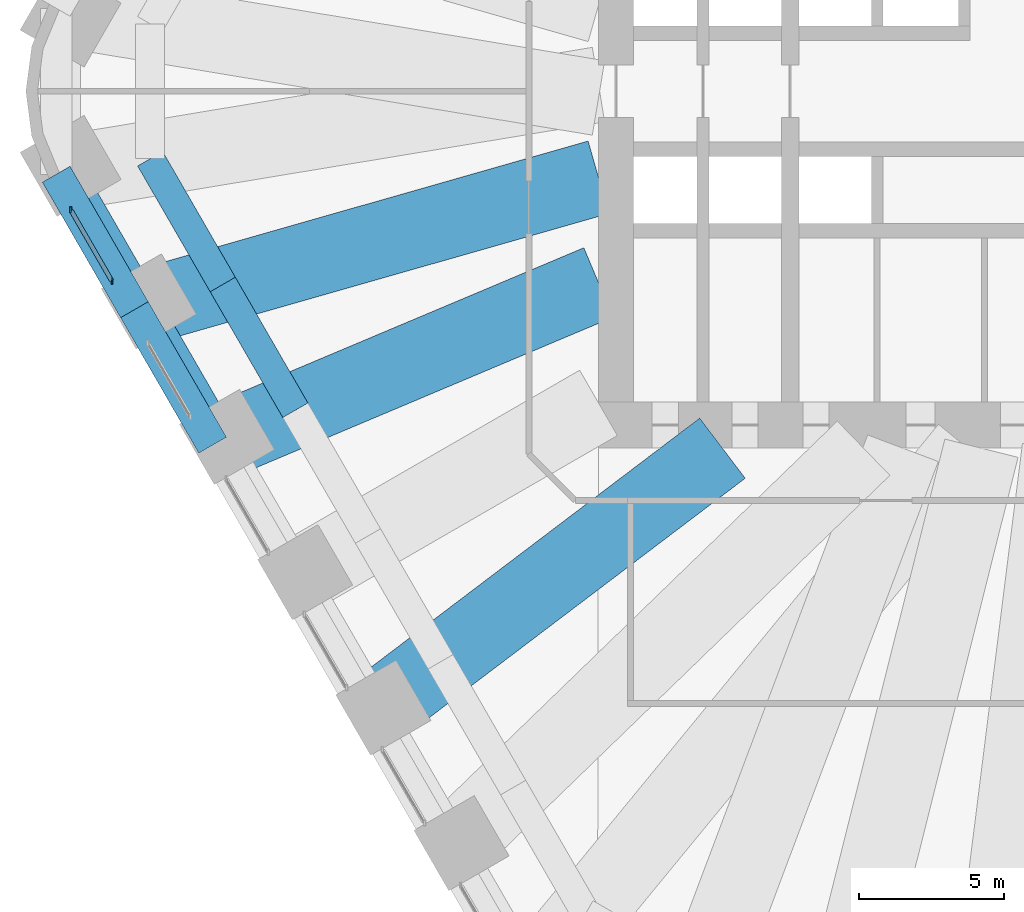
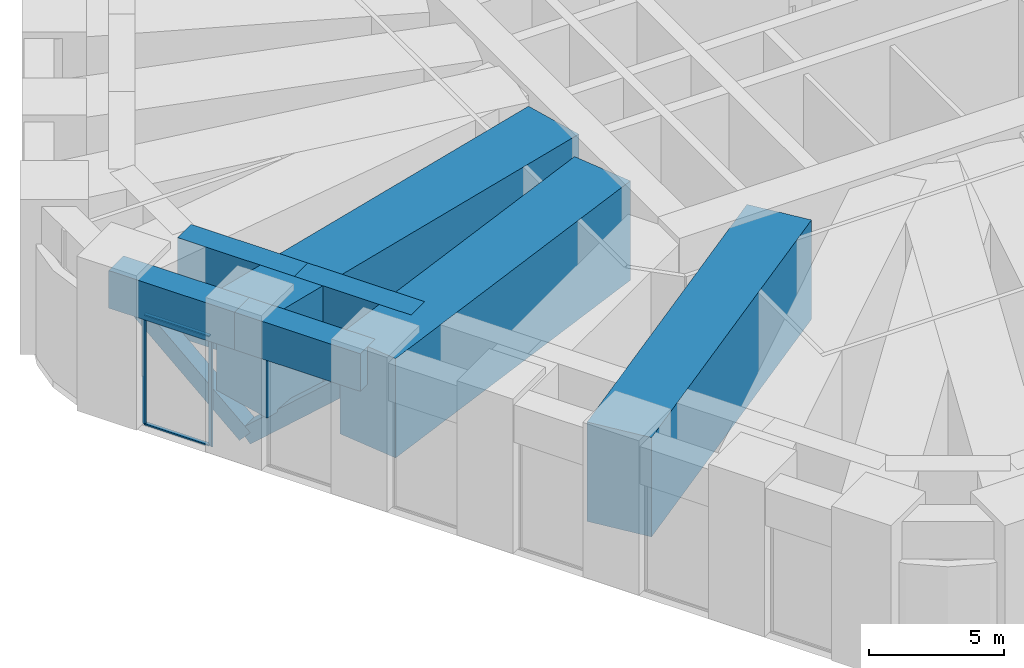
# One storey, part 3 of 17: 7 beams, 6 members, 1 element without a shape of its own.
"""IFC4 building model written with IfcOpenShell, lengths in metres."""

from ifc_helpers import new_model, si_unit, direction, frame, origin, origin_2d, place, context, subcontext, project, spatial, rectangle, hollow_rectangle, extrude, material, material_profile, profile_set, type_object, element, aggregate, save


model = new_model("IFC4")

# Units and contexts
model_context = context("Model", 3, precision=1e-05, world=origin(), true_north=direction((0.0, 1.0)))
body_context = subcontext(model_context, "Body", "Model", "MODEL_VIEW")
ifc_project = project(units=[si_unit("LENGTHUNIT", "METRE"), si_unit("AREAUNIT", "SQUARE_METRE"), si_unit("VOLUMEUNIT", "CUBIC_METRE"), si_unit("PLANEANGLEUNIT", "RADIAN"), si_unit("MASSUNIT", "GRAM", prefix="KILO")], contexts=[model_context])

# Site, building, storey
site_placement = place(None, origin())
site = spatial("IfcSite", under=ifc_project, at=site_placement, CompositionType="ELEMENT")
building_placement = place(site_placement, origin())
building = spatial("IfcBuilding", under=site, at=building_placement, Name="Tarfa Lantern Tower", CompositionType="ELEMENT")
storey_placement = place(building_placement, frame((0.0, 0.0, 107.5)))
storey = spatial("IfcBuildingStorey", under=building, at=storey_placement, Name="L24", CompositionType="ELEMENT", Elevation=107.5)

# Members
ifc_material_1 = material(Name="Steel S460M", Category="steel")
ifc_material_profile_1 = material_profile(ifc_material_1, hollow_rectangle(XDim=0.699951171875, YDim=0.699951171875, WallThickness=0.080078125, at=origin_2d()), Name="BOX700x700x80")
ifc_profile_set_1 = profile_set([ifc_material_profile_1], Name="Steel S460M")
member_type_1 = type_object("IfcMemberType", Name="BT1 BOX700x700x80", PredefinedType="BRACE", material=ifc_profile_set_1)
for number, where, z_axis, x_axis, name in (
    (1, (-34.097412109375, -7.24169921875, 0.60009765625), (-0.373364035688, 0.646688432601, 0.66512658043), (-0.866026392449, -0.499998287579, 0.0), "Belt truss diagonal 22"),
    (2, (-34.097412109375, -7.24169921875, 0.60009765625), (0.373364035688, -0.646688432601, 0.66512658043), (0.866026392449, 0.499998287579, 0.0), "Belt truss diagonal 23"),
):
    element("IfcMember", number, at=place(storey_placement, frame(where, z_axis=z_axis, x_axis=x_axis)), inside=storey, type_object=member_type_1, Name=name, PredefinedType="BRACE", context=body_context, shape_type="SweptSolid", body=[
        extrude(hollow_rectangle(XDim=0.699951171875, YDim=0.699951171875, WallThickness=0.080078125, at=origin_2d()), origin(), (0.0, 0.0, 1.0), 7.21630859375),
    ])

# Curtain wall, members
ifc_material_2 = material(Name="Aluminium framed curtain wall", Category="aluminium")
curtain_wall_type = type_object("IfcCurtainWallType", Name="CW6 LOUVRED SCREEN WALL 5000", PredefinedType="USERDEFINED", material=ifc_material_2)
curtain_wall_placement = place(storey_placement, origin())
curtain_wall = element("IfcCurtainWall", 3, at=curtain_wall_placement, inside=storey, type_object=curtain_wall_type, Name="CW6 SW L24", ObjectType="CURTAIN WALL", PredefinedType="USERDEFINED")
ifc_material_3 = material(Name="Aluminium mullion", Category="aluminium")
ifc_material_profile_2 = material_profile(ifc_material_3, rectangle(XDim=0.06494140625, YDim=0.199951171875, at=origin_2d()), Name="AL MULLION 65x200")
ifc_profile_set_2 = profile_set([ifc_material_profile_2], Name="Aluminium mullion")
member_type_2 = type_object("IfcMemberType", Name="CWM1 MULLION 65x200", PredefinedType="MULLION", material=ifc_profile_set_2)
member_1_placement = place(storey_placement, frame((-36.787353515625, -4.082275390625, 0.0), z_axis=(0.0, 0.0, 1.0), x_axis=(1.0, 0.0, 0.0)))
member_1 = element("IfcMember", 4, at=member_1_placement, type_object=member_type_2, Name="CW6 mullion 1", PredefinedType="MULLION", context=body_context, shape_type="SweptSolid", body=[
    extrude(rectangle(XDim=0.06494140625, YDim=0.199951171875, at=origin_2d()), origin(), (0.0, 0.0, 1.0), 5.0),
])
member_2_placement = place(storey_placement, frame((-35.363037109375, -6.54931640625, 0.0), z_axis=(0.0, 0.0, 1.0), x_axis=(1.0, 0.0, 0.0)))
member_2 = element("IfcMember", 5, at=member_2_placement, type_object=member_type_2, Name="CW6 mullion 2", PredefinedType="MULLION", context=body_context, shape_type="SweptSolid", body=[
    extrude(rectangle(XDim=0.06494140625, YDim=0.199951171875, at=origin_2d()), origin(), (0.0, 0.0, 1.0), 5.0),
])
ifc_material_4 = material(Name="Aluminium transom", Category="aluminium")
ifc_material_profile_3 = material_profile(ifc_material_4, rectangle(XDim=0.14990234375, YDim=0.06494140625, at=origin_2d()), Name="AL TRANSOM 150x65")
ifc_profile_set_3 = profile_set([ifc_material_profile_3], Name="Aluminium transom")
member_type_3 = type_object("IfcMemberType", Name="CWT1 TRANSOM 150x65", PredefinedType="USERDEFINED", material=ifc_profile_set_3)
member_3_placement = place(storey_placement, frame((-36.771240234375, -4.110595703125, 0.032470703125), z_axis=(0.500016013541, -0.866016158165, 0.0), x_axis=(0.866016158165, 0.500016013541, 0.0)))
member_3 = element("IfcMember", 6, at=member_3_placement, type_object=member_type_3, Name="CW6 transom 1.1", ObjectType="TRANSOM", PredefinedType="USERDEFINED", context=body_context, shape_type="SweptSolid", body=[
    extrude(rectangle(XDim=0.14990234375, YDim=0.06494140625, at=origin_2d()), origin(), (0.0, 0.0, 1.0), 2.78369140625),
])
member_4_placement = place(storey_placement, frame((-36.771240234375, -4.110595703125, 4.967529296875), z_axis=(0.500016013541, -0.866016158165, 0.0), x_axis=(0.866016158165, 0.500016013541, 0.0)))
member_4 = element("IfcMember", 7, at=member_4_placement, type_object=member_type_3, Name="CW6 transom 1.2", ObjectType="TRANSOM", PredefinedType="USERDEFINED", context=body_context, shape_type="SweptSolid", body=[
    extrude(rectangle(XDim=0.14990234375, YDim=0.06494140625, at=origin_2d()), origin(), (0.0, 0.0, 1.0), 2.78369140625),
])
aggregate(curtain_wall, [member_1, member_2, member_3, member_4])

# Beams
ifc_material_5 = material(Name="Concrete C80/95", Category="concrete")
ifc_material_profile_4 = material_profile(ifc_material_5, rectangle(XDim=1.10009765625, YDim=1.699951171875, at=origin_2d()), Name="RC 1100x1700")
ifc_profile_set_4 = profile_set([ifc_material_profile_4], Name="Concrete C80/95")
beam_type_1 = type_object("IfcBeamType", Name="RB1 RC 1100x1700", PredefinedType="BEAM", material=ifc_profile_set_4)
beam_1_placement = place(storey_placement, frame((-37.285400390625, -2.860107421875, 5.85009765625), z_axis=(0.500017906299, -0.866015065331, 0.0), x_axis=(0.866015065331, 0.500017906299, 0.0)))
element("IfcBeam", 8, at=beam_1_placement, inside=storey, type_object=beam_type_1, Name="Edge beam SW0", PredefinedType="BEAM", context=body_context, shape_type="SweptSolid", body=[
    extrude(rectangle(XDim=1.10009765625, YDim=1.699951171875, at=origin_2d()), origin(), (0.0, 0.0, 1.0), 5.388427734375),
])
beam_2_placement = place(storey_placement, frame((-34.591064453125, -7.526611328125, 5.85009765625), z_axis=(0.499998287579, -0.866026392449, 0.0), x_axis=(0.866026392449, 0.499998287579, 0.0)))
element("IfcBeam", 9, at=beam_2_placement, inside=storey, type_object=beam_type_1, Name="Edge beam SW1", PredefinedType="BEAM", context=body_context, shape_type="SweptSolid", body=[
    extrude(rectangle(XDim=1.10009765625, YDim=1.699951171875, at=origin_2d()), origin(), (0.0, 0.0, 1.0), 5.388671875),
])
ifc_material_profile_5 = material_profile(ifc_material_5, rectangle(XDim=1.0, YDim=4.5, at=origin_2d()), Name="RC 1000x4500")
ifc_profile_set_5 = profile_set([ifc_material_profile_5], Name="Concrete C80/95")
beam_type_2 = type_object("IfcBeamType", Name="RG1 RC 1000x4500", PredefinedType="BEAM", material=ifc_profile_set_5)
beam_3_placement = place(storey_placement, frame((-34.04931640625, -2.324951171875, 4.449951171875), z_axis=(0.500001197378, -0.866024712477, 0.0), x_axis=(0.866024712477, 0.500001197378, 0.0)))
element("IfcBeam", 10, at=beam_3_placement, inside=storey, type_object=beam_type_2, Name="Ring girder SW0", PredefinedType="BEAM", context=body_context, shape_type="SweptSolid", body=[
    extrude(rectangle(XDim=1.0, YDim=4.5, at=origin_2d()), origin(), (0.0, 0.0, 1.0), 5.00390625),
])
beam_4_placement = place(storey_placement, frame((-31.54736328125, -6.658447265625, 4.449951171875), z_axis=(0.500022324899, -0.866012514114, 0.0), x_axis=(0.866012514114, 0.500022324899, 0.0)))
element("IfcBeam", 11, at=beam_4_placement, inside=storey, type_object=beam_type_2, Name="Ring girder SW1", PredefinedType="BEAM", context=body_context, shape_type="SweptSolid", body=[
    extrude(rectangle(XDim=1.0, YDim=4.5, at=origin_2d()), origin(), (0.0, 0.0, 1.0), 5.003662109375),
])
ifc_material_profile_6 = material_profile(ifc_material_5, rectangle(XDim=2.60009765625, YDim=4.5, at=origin_2d()), Name="RC 2600x4500")
ifc_profile_set_6 = profile_set([ifc_material_profile_6], Name="Concrete C80/95")
beam_type_3 = type_object("IfcBeamType", Name="TG1 RC 2600x4500", PredefinedType="BEAM", material=ifc_profile_set_6)
beam_5_placement = place(storey_placement, frame((-34.591064453125, -7.526611328125, 4.449951171875), z_axis=(0.96162858791, 0.274354622548, 0.0), x_axis=(-0.274354622548, 0.96162858791, 0.0)))
element("IfcBeam", 12, at=beam_5_placement, inside=storey, type_object=beam_type_3, Name="Transfer girder SW1", PredefinedType="BEAM", context=body_context, shape_type="SweptSolid", body=[
    extrude(rectangle(XDim=2.60009765625, YDim=4.5, at=origin_2d()), origin(), (0.0, 0.0, 1.0), 16.629150390625),
])
beam_6_placement = place(storey_placement, frame((-31.896728515625, -12.193359375, 4.449951171875), z_axis=(0.921494861776, 0.388390550503, 0.0), x_axis=(-0.388390550503, 0.921494861776, 0.0)))
element("IfcBeam", 13, at=beam_6_placement, inside=storey, type_object=beam_type_3, Name="Transfer girder SW2", PredefinedType="BEAM", context=body_context, shape_type="SweptSolid", body=[
    extrude(rectangle(XDim=2.60009765625, YDim=4.5, at=origin_2d()), origin(), (0.0, 0.0, 1.0), 14.429443359375),
])
beam_7_placement = place(storey_placement, frame((-26.508056640625, -21.526611328125, 4.449951171875), z_axis=(0.797101237143, 0.603845690342, 0.0), x_axis=(-0.603845690342, 0.797101237143, 0.0)))
element("IfcBeam", 14, at=beam_7_placement, inside=storey, type_object=beam_type_3, Name="Transfer girder SW4", PredefinedType="BEAM", context=body_context, shape_type="SweptSolid", body=[
    extrude(rectangle(XDim=2.60009765625, YDim=4.5, at=origin_2d()), origin(), (0.0, 0.0, 1.0), 15.27978515625),
])

save(model, "model.ifc")
